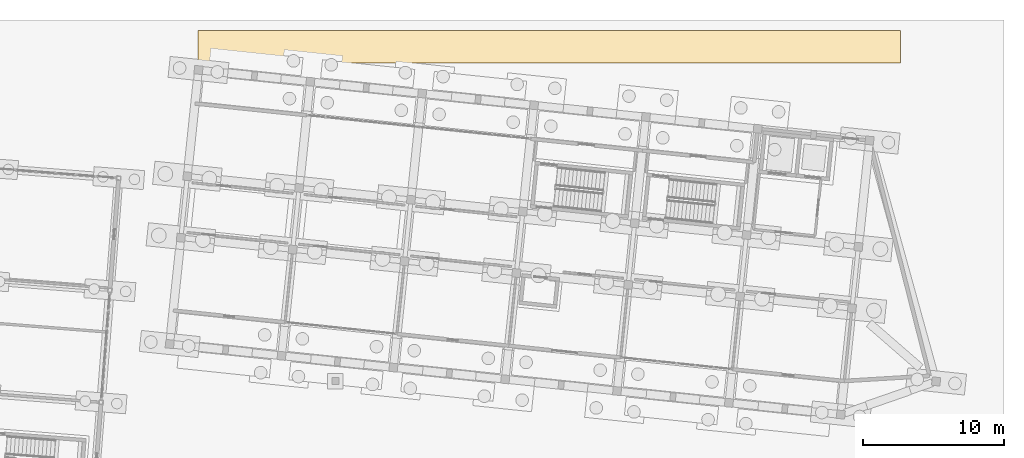
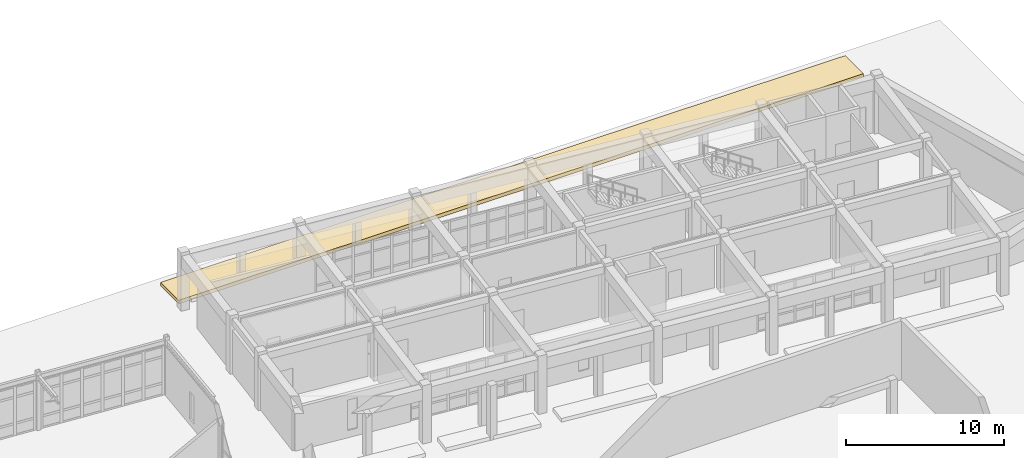
# One storey, part 153 of 154: 1 covering.
"""IFC4 building model written with IfcOpenShell, lengths in metres."""

from ifc_helpers import new_model, si_unit, direction, origin, place, context, subcontext, project, spatial, polyline, outline, extrude, material, layer, layer_set, type_object, element, save


model = new_model("IFC4")

# Units and contexts
model_context = context("Model", 3, precision=1e-05, world=origin(), true_north=direction((0.0, 1.0)))
body_context = subcontext(model_context, "Body", "Model", "MODEL_VIEW")
ifc_project = project(units=[si_unit("LENGTHUNIT", "METRE"), si_unit("AREAUNIT", "SQUARE_METRE"), si_unit("VOLUMEUNIT", "CUBIC_METRE"), si_unit("PLANEANGLEUNIT", "RADIAN"), si_unit("MASSUNIT", "GRAM", prefix="KILO")], contexts=[model_context])

# Site, building, storey
site_placement = place(None, origin())
site = spatial("IfcSite", under=ifc_project, at=site_placement, CompositionType="ELEMENT")
building_placement = place(site_placement, origin())
building = spatial("IfcBuilding", under=site, at=building_placement, Name="Kestramere Prow Commons", CompositionType="ELEMENT")
storey_placement = place(building_placement, origin())
storey = spatial("IfcBuildingStorey", under=building, at=storey_placement, Name="L00", CompositionType="ELEMENT", Elevation=0.0)

# Covering
ifc_material = material(Name="Planted Tropical Rain-Garden Soil and Foliage")
ifc_layer = layer(ifc_material, 0.280029296875)
ifc_layer_set = layer_set([ifc_layer], Name="Planted Tropical Rain-Garden Soil and Foliage")
covering_type = type_object("IfcCoveringType", Name="COV-PLANT-STRIP", PredefinedType="USERDEFINED", material=ifc_layer_set)
covering_placement = place(storey_placement, origin())
element("IfcCovering", 1, at=covering_placement, inside=storey, type_object=covering_type, Name="Street Setback Planted Landscape Strip PLST-ST-NE", ObjectType="PLANTED STRIP", PredefinedType="USERDEFINED", context=body_context, shape_type="SweptSolid", body=[
    extrude(outline(polyline([(112.0, 114.800048828125), (112.0, 117.10009765625), (162.0, 117.10009765625), (162.0, 114.800048828125), (112.0, 114.800048828125)])), origin(), (0.0, 0.0, 1.0), 0.280029296875),
])

save(model, "model.ifc")
